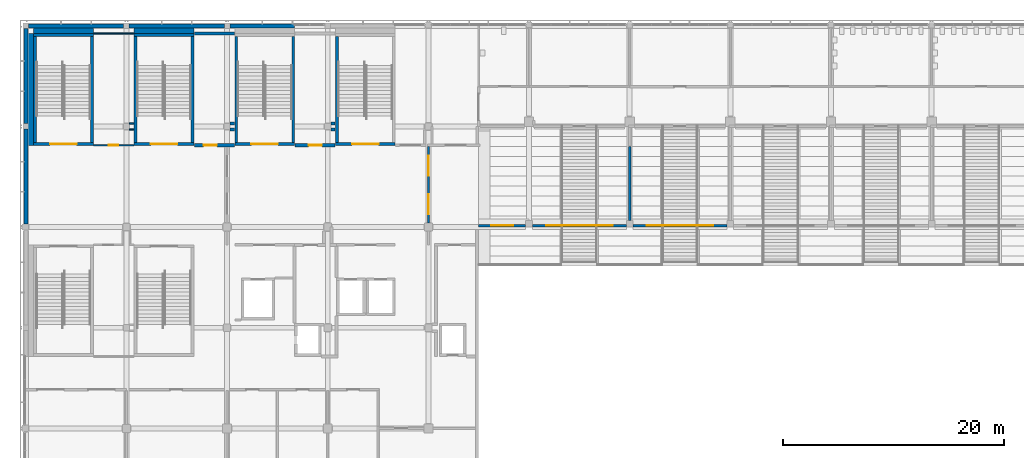
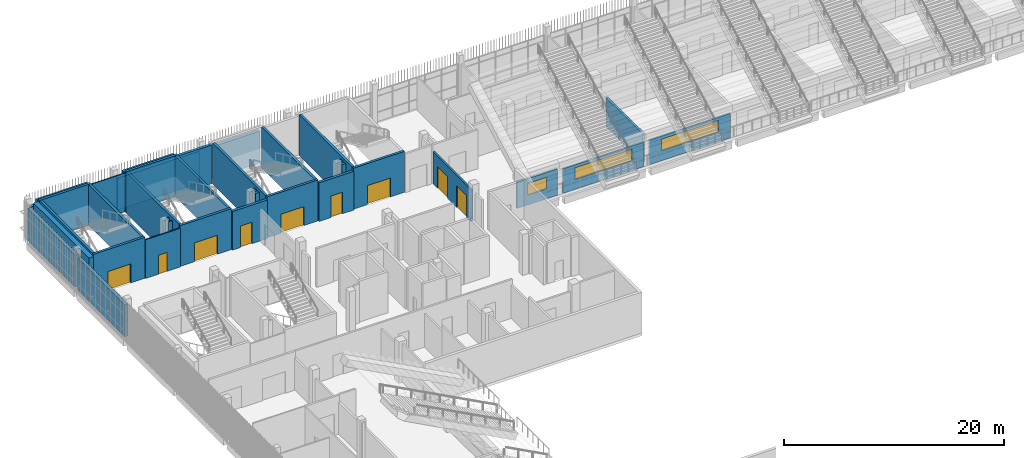
# One storey, part 84 of 139: 37 walls, 9 doors, 3 windows, 12 openings.
"""IFC4 building model written with IfcOpenShell, lengths in metres."""

from ifc_helpers import new_model, si_unit, direction, frame, frame_2d, origin, place, context, subcontext, project, spatial, rectangle, extrude, material, layer, layer_set, type_object, element, fill, save


model = new_model("IFC4")

# Units and contexts
model_context = context("Model", 3, precision=1e-05, world=origin(), true_north=direction((0.0, 1.0)))
body_context = subcontext(model_context, "Body", "Model", "MODEL_VIEW")
ifc_project = project(units=[si_unit("LENGTHUNIT", "METRE"), si_unit("AREAUNIT", "SQUARE_METRE"), si_unit("VOLUMEUNIT", "CUBIC_METRE"), si_unit("PLANEANGLEUNIT", "RADIAN"), si_unit("MASSUNIT", "GRAM", prefix="KILO")], contexts=[model_context])

# Site, building, storey
site_placement = place(None, origin())
site = spatial("IfcSite", under=ifc_project, at=site_placement, CompositionType="ELEMENT")
building_placement = place(site_placement, origin())
building = spatial("IfcBuilding", under=site, at=building_placement, Name="Shirokan Park Arena", CompositionType="ELEMENT")
storey_placement = place(building_placement, frame((0.0, 0.0, 15.469970703125)))
storey = spatial("IfcBuildingStorey", under=building, at=storey_placement, Name="L03", CompositionType="ELEMENT", Elevation=15.469970703125)

# Wall, opening, window
ifc_material_1 = material(Name="Cedar timber lining", Category="wood")
ifc_layer_1 = layer(ifc_material_1, 0.02001953125, Name="Cedar timber lining")
ifc_material_2 = material(Name="Plywood", Category="wood")
ifc_layer_2 = layer(ifc_material_2, 0.01806640625, Name="Plywood")
ifc_material_3 = material(Name="Mineral wool insulation")
ifc_layer_3 = layer(ifc_material_3, 0.14208984375, Name="Mineral wool insulation")
ifc_material_4 = material(Name="Gypsum board")
ifc_layer_4 = layer(ifc_material_4, 0.02001953125, Name="Gypsum board")
ifc_layer_set_1 = layer_set([ifc_layer_1, ifc_layer_2, ifc_layer_3, ifc_layer_4], Name="Cedar timber lining + Plywood + Mineral wool insulation + Gypsum board")
wall_type_1 = type_object("IfcWallType", Name="Bowl front wall 200", PredefinedType="PARTITIONING", material=ifc_layer_set_1)
wall_1_placement = place(storey_placement, frame((54.300048828125, 91.1298828125, 0.0), z_axis=(0.0, 0.0, 1.0), x_axis=(-1.0, 0.0, 0.0)))
wall_1 = element("IfcWall", 1, at=wall_1_placement, inside=storey, type_object=wall_type_1, Name="Bowl front wall 200 L03", PredefinedType="PARTITIONING", context=body_context, shape_type="SweptSolid", body=[
    extrude(rectangle(XDim=8.5, YDim=0.199951171875, at=frame_2d((4.25, 0.0))), origin(), (0.0, 0.0, 1.0), 2.7099609375),
])
opening_1_placement = place(wall_1_placement, frame((1.25, 0.0, 1.10009765625)))
opening_1 = element("IfcOpeningElement", 2, at=opening_1_placement, cuts=wall_1, Name="Opening W8", PredefinedType="OPENING", context=body_context, shape_type="SweptSolid", body=[
    extrude(rectangle(XDim=6.0, YDim=1.300048828125, at=frame_2d((3.0, 0.64990234375))), frame((0.0, 0.10986328125, 0.0), z_axis=(0.0, -1.0, 0.0), x_axis=(1.0, 0.0, 0.0)), (0.0, 0.0, 1.0), 0.219970703125),
])
ifc_material_5 = material(Name="Aluminium frame with laminated glass", Category="aluminium")
window_type_1 = type_object("IfcWindowType", Name="Suite viewing window 6000 x 1300", PartitioningType="SINGLE_PANEL", PredefinedType="WINDOW", material=ifc_material_5)
window_1_placement = place(opening_1_placement, origin())
window_1 = element("IfcWindow", 3, at=window_1_placement, inside=storey, type_object=window_type_1, Name="Suite viewing window 6000 x 1300 L03", OverallHeight=1.300048828125, OverallWidth=6.0, PartitioningType="SINGLE_PANEL", PredefinedType="WINDOW", context=body_context, shape_type="SweptSolid", body=[
    extrude(rectangle(XDim=6.0, YDim=1.300048828125, at=frame_2d((3.0, 0.64990234375))), frame((0.0, 0.030029296875, 0.0), z_axis=(0.0, -1.0, 0.0), x_axis=(1.0, 0.0, 0.0)), (0.0, 0.0, 1.0), 0.06005859375),
])
fill(opening_1, window_1)

wall_2_placement = place(storey_placement, frame((45.199951171875, 91.1298828125, 0.0), z_axis=(0.0, 0.0, 1.0), x_axis=(-1.0, 0.0, 0.0)))
wall_2 = element("IfcWall", 4, at=wall_2_placement, inside=storey, type_object=wall_type_1, Name="Bowl front wall 200 L03", PredefinedType="PARTITIONING", context=body_context, shape_type="SweptSolid", body=[
    extrude(rectangle(XDim=4.25, YDim=0.199951171875, at=frame_2d((2.125, 0.0))), origin(), (0.0, 0.0, 1.0), 2.909912109375),
])
opening_2_placement = place(wall_2_placement, frame((1.125, 0.0, 1.10009765625)))
opening_2 = element("IfcOpeningElement", 5, at=opening_2_placement, cuts=wall_2, Name="Opening W7", PredefinedType="OPENING", context=body_context, shape_type="SweptSolid", body=[
    extrude(rectangle(XDim=2.0, YDim=1.300048828125, at=frame_2d((1.0, 0.64990234375))), frame((0.0, 0.10986328125, 0.0), z_axis=(0.0, -1.0, 0.0), x_axis=(1.0, 0.0, 0.0)), (0.0, 0.0, 1.0), 0.219970703125),
])
window_type_2 = type_object("IfcWindowType", Name="Suite viewing window 2000 x 1300", PartitioningType="SINGLE_PANEL", PredefinedType="WINDOW", material=ifc_material_5)
window_2_placement = place(opening_2_placement, origin())
window_2 = element("IfcWindow", 6, at=window_2_placement, inside=storey, type_object=window_type_2, Name="Suite viewing window 2000 x 1300 L03", OverallHeight=1.300048828125, OverallWidth=2.0, PartitioningType="SINGLE_PANEL", PredefinedType="WINDOW", context=body_context, shape_type="SweptSolid", body=[
    extrude(rectangle(XDim=2.0, YDim=1.300048828125, at=frame_2d((1.0, 0.64990234375))), frame((0.0, 0.030029296875, 0.0), z_axis=(0.0, -1.0, 0.0), x_axis=(1.0, 0.0, 0.0)), (0.0, 0.0, 1.0), 0.06005859375),
])
fill(opening_2, window_2)

wall_3_placement = place(storey_placement, frame((63.39990234375, 91.1298828125, 0.0), z_axis=(0.0, 0.0, 1.0), x_axis=(-1.0, 0.0, 0.0)))
wall_3 = element("IfcWall", 7, at=wall_3_placement, inside=storey, type_object=wall_type_1, Name="Bowl front wall 200 L03", PredefinedType="PARTITIONING", context=body_context, shape_type="SweptSolid", body=[
    extrude(rectangle(XDim=8.5, YDim=0.199951171875, at=frame_2d((4.25, 0.0))), origin(), (0.0, 0.0, 1.0), 2.7099609375),
])
opening_3_placement = place(wall_3_placement, frame((1.25, 0.0, 1.10009765625)))
opening_3 = element("IfcOpeningElement", 8, at=opening_3_placement, cuts=wall_3, Name="Opening W8", PredefinedType="OPENING", context=body_context, shape_type="SweptSolid", body=[
    extrude(rectangle(XDim=6.0, YDim=1.300048828125, at=frame_2d((3.0, 0.64990234375))), frame((0.0, 0.10986328125, 0.0), z_axis=(0.0, -1.0, 0.0), x_axis=(1.0, 0.0, 0.0)), (0.0, 0.0, 1.0), 0.219970703125),
])
window_3_placement = place(opening_3_placement, origin())
window_3 = element("IfcWindow", 9, at=window_3_placement, inside=storey, type_object=window_type_1, Name="Suite viewing window 6000 x 1300 L03", OverallHeight=1.300048828125, OverallWidth=6.0, PartitioningType="SINGLE_PANEL", PredefinedType="WINDOW", context=body_context, shape_type="SweptSolid", body=[
    extrude(rectangle(XDim=6.0, YDim=1.300048828125, at=frame_2d((3.0, 0.64990234375))), frame((0.0, 0.030029296875, 0.0), z_axis=(0.0, -1.0, 0.0), x_axis=(1.0, 0.0, 0.0)), (0.0, 0.0, 1.0), 0.06005859375),
])
fill(opening_3, window_3)

# Wall, openings, doors
ifc_layer_5 = layer(ifc_material_4, 0.02490234375, Name="Gypsum board, two layers")
ifc_layer_6 = layer(ifc_material_3, 0.14990234375, Name="Mineral wool insulation")
ifc_layer_7 = layer(ifc_material_4, 0.02490234375, Name="Gypsum board, two layers")
ifc_layer_set_2 = layer_set([ifc_layer_5, ifc_layer_6, ifc_layer_7], Name="Gypsum board, two layers + Mineral wool insulation")
wall_type_2 = type_object("IfcWallType", Name="Corridor wall 200", PredefinedType="PARTITIONING", material=ifc_layer_set_2)
wall_4_placement = place(storey_placement, frame((36.39990234375, 98.300048828125, 0.0), z_axis=(0.0, 0.0, 1.0), x_axis=(0.0, -1.0, 0.0)))
wall_4 = element("IfcWall", 10, at=wall_4_placement, inside=storey, type_object=wall_type_2, Name="Corridor wall 200 L03", PredefinedType="PARTITIONING", context=body_context, shape_type="SweptSolid", body=[
    extrude(rectangle(XDim=6.949951171875, YDim=0.199951171875, at=frame_2d((3.47509765625, 0.0))), origin(), (0.0, 0.0, 1.0), 3.550048828125),
])
opening_4_placement = place(wall_4_placement, frame((0.85009765625, 0.0, 0.0)))
opening_4 = element("IfcOpeningElement", 11, at=opening_4_placement, cuts=wall_4, Name="Opening D-3130", PredefinedType="OPENING", context=body_context, shape_type="SweptSolid", body=[
    extrude(rectangle(XDim=1.800048828125, YDim=2.39990234375, at=frame_2d((0.89990234375, 1.199951171875))), frame((0.0, 0.10986328125, 0.0), z_axis=(0.0, -1.0, 0.0), x_axis=(1.0, 0.0, 0.0)), (0.0, 0.0, 1.0), 0.219970703125),
])
opening_5_placement = place(wall_4_placement, frame((4.35009765625, 0.0, 0.0)))
opening_5 = element("IfcOpeningElement", 12, at=opening_5_placement, cuts=wall_4, Name="Opening D-3131", PredefinedType="OPENING", context=body_context, shape_type="SweptSolid", body=[
    extrude(rectangle(XDim=1.800048828125, YDim=2.39990234375, at=frame_2d((0.89990234375, 1.199951171875))), frame((0.0, 0.10986328125, 0.0), z_axis=(0.0, -1.0, 0.0), x_axis=(1.0, 0.0, 0.0)), (0.0, 0.0, 1.0), 0.219970703125),
])
ifc_material_6 = material(Name="Glazed steel door set, fire resisting", Category="steel")
door_type_1 = type_object("IfcDoorType", Name="Lift lobby door 1800 x 2400", OperationType="DOUBLE_DOOR_SINGLE_SWING", PredefinedType="DOOR", material=ifc_material_6)
door_1_placement = place(opening_4_placement, origin())
door_1 = element("IfcDoor", 13, at=door_1_placement, inside=storey, type_object=door_type_1, Name="Door between Stair Lobby 4.3.2 and Hospitality Foyer 4.3.3 D-3130", OperationType="DOUBLE_DOOR_SINGLE_SWING", OverallHeight=2.39990234375, OverallWidth=1.800048828125, PredefinedType="DOOR", context=body_context, shape_type="SweptSolid", body=[
    extrude(rectangle(XDim=1.800048828125, YDim=2.39990234375, at=frame_2d((0.89990234375, 1.199951171875))), frame((0.0, 0.02490234375, 0.0), z_axis=(0.0, -1.0, 0.0), x_axis=(1.0, 0.0, 0.0)), (0.0, 0.0, 1.0), 0.050048828125),
])
fill(opening_4, door_1)
door_2_placement = place(opening_5_placement, origin())
door_2 = element("IfcDoor", 14, at=door_2_placement, inside=storey, type_object=door_type_1, Name="Door between Stair Lobby 4.3.2 and Hospitality Foyer 4.3.3 D-3131", OperationType="DOUBLE_DOOR_SINGLE_SWING", OverallHeight=2.39990234375, OverallWidth=1.800048828125, PredefinedType="DOOR", context=body_context, shape_type="SweptSolid", body=[
    extrude(rectangle(XDim=1.800048828125, YDim=2.39990234375, at=frame_2d((0.89990234375, 1.199951171875))), frame((0.0, 0.02490234375, 0.0), z_axis=(0.0, -1.0, 0.0), x_axis=(1.0, 0.0, 0.0)), (0.0, 0.0, 1.0), 0.050048828125),
])
fill(opening_5, door_2)

# Walls
ifc_material_7 = material(Name="Cedar cladding")
ifc_layer_8 = layer(ifc_material_7, 0.030029296875, Name="Cedar cladding")
ifc_layer_9 = layer(ifc_material_3, 0.10009765625, Name="Mineral wool insulation")
ifc_material_8 = material(Name="Concrete C35", Category="concrete")
ifc_layer_10 = layer(ifc_material_8, 0.199951171875, Name="Concrete C35")
ifc_material_9 = material(Name="Gypsum board lining")
ifc_layer_11 = layer(ifc_material_9, 0.02001953125, Name="Gypsum board lining")
ifc_layer_set_3 = layer_set([ifc_layer_8, ifc_layer_9, ifc_layer_10, ifc_layer_11], Name="Cedar cladding + Mineral wool insulation + Concrete C35 + Gypsum board lining")
wall_type_3 = type_object("IfcWallType", Name="Insulated tower wall 350", PredefinedType="SOLIDWALL", material=ifc_layer_set_3)
wall_5_placement = place(storey_placement, frame((24.300048828125, 109.175048828125, 0.0), z_axis=(0.0, 0.0, 1.0), x_axis=(-1.0, 0.0, 0.0)))
element("IfcWall", 15, at=wall_5_placement, inside=storey, type_object=wall_type_3, Name="North facade wall bay 14 L03", PredefinedType="SOLIDWALL", context=body_context, shape_type="SweptSolid", body=[
    extrude(rectangle(XDim=5.85009765625, YDim=0.35009765625, at=frame_2d((2.925048828125, 0.0))), origin(), (0.0, 0.0, 1.0), 3.550048828125),
])
wall_6_placement = place(storey_placement, frame((17.949951171875, 109.175048828125, 0.0), z_axis=(0.0, 0.0, 1.0), x_axis=(-1.0, 0.0, 0.0)))
element("IfcWall", 16, at=wall_6_placement, inside=storey, type_object=wall_type_3, Name="North facade wall bay 15 L03", PredefinedType="SOLIDWALL", context=body_context, shape_type="SweptSolid", body=[
    extrude(rectangle(XDim=8.599853515625, YDim=0.35009765625, at=frame_2d((4.2998046875, 0.0))), origin(), (0.0, 0.0, 1.0), 3.550048828125),
])
wall_7_placement = place(storey_placement, frame((8.85009765625, 109.175048828125, 0.0), z_axis=(0.0, 0.0, 1.0), x_axis=(-1.0, 0.0, 0.0)))
element("IfcWall", 17, at=wall_7_placement, inside=storey, type_object=wall_type_3, Name="North facade wall bay 16 L03", PredefinedType="SOLIDWALL", context=body_context, shape_type="SweptSolid", body=[
    extrude(rectangle(XDim=8.60009765625, YDim=0.35009765625, at=frame_2d((4.300048828125, 0.0))), origin(), (0.0, 0.0, 1.0), 3.550048828125),
])
wall_8_placement = place(storey_placement, frame((0.02490234375, 108.949951171875, 0.0), z_axis=(0.0, 0.0, 1.0), x_axis=(0.0, -1.0, 0.0)))
element("IfcWall", 18, at=wall_8_placement, inside=storey, type_object=wall_type_3, Name="West facade wall bay 1 L03", PredefinedType="SOLIDWALL", context=body_context, shape_type="SweptSolid", body=[
    extrude(rectangle(XDim=8.599853515625, YDim=0.35009765625, at=frame_2d((4.2998046875, 0.0))), origin(), (0.0, 0.0, 1.0), 3.550048828125),
])
wall_9_placement = place(storey_placement, frame((0.02490234375, 99.85009765625, 0.0), z_axis=(0.0, 0.0, 1.0), x_axis=(0.0, -1.0, 0.0)))
element("IfcWall", 19, at=wall_9_placement, inside=storey, type_object=wall_type_3, Name="West facade wall bay 2 L03", PredefinedType="SOLIDWALL", context=body_context, shape_type="SweptSolid", body=[
    extrude(rectangle(XDim=8.5751953125, YDim=0.35009765625, at=frame_2d((4.28759765625, 0.0))), origin(), (0.0, 0.0, 1.0), 3.550048828125),
])

# Wall, opening, door
ifc_material_10 = material(Name="Plaster")
ifc_layer_12 = layer(ifc_material_10, 0.012451171875, Name="Plaster")
ifc_material_11 = material(Name="Concrete blockwork", Category="masonry")
ifc_layer_13 = layer(ifc_material_11, 0.25, Name="Concrete blockwork 250")
ifc_layer_14 = layer(ifc_material_10, 0.012451171875, Name="Plaster")
ifc_layer_set_4 = layer_set([ifc_layer_12, ifc_layer_13, ifc_layer_14], Name="Plaster + Concrete blockwork 250")
wall_type_4 = type_object("IfcWallType", Name="Plant room wall 275", PredefinedType="SOLIDWALL", material=ifc_layer_set_4)
wall_10_placement = place(storey_placement, frame((15.22998046875, 98.39990234375, 0.0), z_axis=(0.0, 0.0, 1.0), x_axis=(1.0, 0.0, 0.0)))
wall_10 = element("IfcWall", 20, at=wall_10_placement, inside=storey, type_object=wall_type_4, Name="Plant room wall 275 L03", PredefinedType="SOLIDWALL", context=body_context, shape_type="SweptSolid", body=[
    extrude(rectangle(XDim=3.64013671875, YDim=0.27490234375, at=frame_2d((1.820068359375, 0.0))), origin(), (0.0, 0.0, 1.0), 4.300048828125),
])
opening_6_placement = place(wall_10_placement, frame((0.85009765625, 0.0, 0.0)))
opening_6 = element("IfcOpeningElement", 21, at=opening_6_placement, cuts=wall_10, Name="Opening D-3034", PredefinedType="OPENING", context=body_context, shape_type="SweptSolid", body=[
    extrude(rectangle(XDim=1.199951171875, YDim=2.39990234375, at=frame_2d((0.60009765625, 1.199951171875))), frame((0.0, 0.1474609375, 0.0), z_axis=(0.0, -1.0, 0.0), x_axis=(1.0, 0.0, 0.0)), (0.0, 0.0, 1.0), 0.294921875),
])
ifc_material_12 = material(Name="Louvred steel door set, fire resisting", Category="steel")
door_type_2 = type_object("IfcDoorType", Name="Plant room door 1200 x 2400", OperationType="SINGLE_SWING_LEFT", PredefinedType="DOOR", material=ifc_material_12)
door_3_placement = place(opening_6_placement, origin())
door_3 = element("IfcDoor", 22, at=door_3_placement, inside=storey, type_object=door_type_2, Name="Door to Communications Room 3.41 D-3034", OperationType="SINGLE_SWING_RIGHT", OverallHeight=2.39990234375, OverallWidth=1.199951171875, PredefinedType="DOOR", context=body_context, shape_type="SweptSolid", body=[
    extrude(rectangle(XDim=1.199951171875, YDim=2.39990234375, at=frame_2d((0.60009765625, 1.199951171875))), frame((0.0, 0.02490234375, 0.0), z_axis=(0.0, -1.0, 0.0), x_axis=(1.0, 0.0, 0.0)), (0.0, 0.0, 1.0), 0.050048828125),
])
fill(opening_6, door_3)

# Walls
wall_11_placement = place(storey_placement, frame((15.22998046875, 108.5, 0.0), z_axis=(0.0, 0.0, 1.0), x_axis=(1.0, 0.0, 0.0)))
element("IfcWall", 23, at=wall_11_placement, inside=storey, type_object=wall_type_4, Name="Plant room wall 275 L03", PredefinedType="SOLIDWALL", context=body_context, shape_type="SweptSolid", body=[
    extrude(rectangle(XDim=3.64013671875, YDim=0.27490234375, at=frame_2d((1.820068359375, 0.0))), origin(), (0.0, 0.0, 1.0), 4.300048828125),
])
for number, where, z_axis, x_axis, name in (
    (24, (18.47509765625, 99.824951171875, 0.0), (0.0, 0.0, 1.0), (1.0, 0.0, 0.0), "Plant room wall 275 L03"),
    (25, (18.8701171875, 100.375, 0.0), (0.0, 0.0, 1.0), (-1.0, 0.0, 0.0), "Plant room wall 275 L03"),
):
    element("IfcWall", number, at=place(storey_placement, frame(where, z_axis=z_axis, x_axis=x_axis)), inside=storey, type_object=wall_type_4, Name=name, PredefinedType="SOLIDWALL", context=body_context, shape_type="SweptSolid", body=[
        extrude(rectangle(XDim=0.39501953125, YDim=0.27490234375, at=frame_2d((0.197509765625, 0.0))), origin(), (0.0, 0.0, 1.0), 4.300048828125),
    ])

# Wall, opening, door
wall_12_placement = place(storey_placement, frame((24.330078125, 98.39990234375, 0.0), z_axis=(0.0, 0.0, 1.0), x_axis=(1.0, 0.0, 0.0)))
wall_12 = element("IfcWall", 26, at=wall_12_placement, inside=storey, type_object=wall_type_4, Name="Plant room wall 275 L03", PredefinedType="SOLIDWALL", context=body_context, shape_type="SweptSolid", body=[
    extrude(rectangle(XDim=3.639892578125, YDim=0.27490234375, at=frame_2d((1.81982421875, 0.0))), origin(), (0.0, 0.0, 1.0), 4.300048828125),
])
opening_7_placement = place(wall_12_placement, frame((1.25, 0.0, 0.0)))
opening_7 = element("IfcOpeningElement", 27, at=opening_7_placement, cuts=wall_12, Name="Opening D-3035", PredefinedType="OPENING", context=body_context, shape_type="SweptSolid", body=[
    extrude(rectangle(XDim=1.199951171875, YDim=2.39990234375, at=frame_2d((0.60009765625, 1.199951171875))), frame((0.0, 0.1474609375, 0.0), z_axis=(0.0, -1.0, 0.0), x_axis=(1.0, 0.0, 0.0)), (0.0, 0.0, 1.0), 0.294921875),
])
door_4_placement = place(opening_7_placement, origin())
door_4 = element("IfcDoor", 28, at=door_4_placement, inside=storey, type_object=door_type_2, Name="Door to Server Room 3.42 D-3035", OperationType="SINGLE_SWING_LEFT", OverallHeight=2.39990234375, OverallWidth=1.199951171875, PredefinedType="DOOR", context=body_context, shape_type="SweptSolid", body=[
    extrude(rectangle(XDim=1.199951171875, YDim=2.39990234375, at=frame_2d((0.60009765625, 1.199951171875))), frame((0.0, 0.02490234375, 0.0), z_axis=(0.0, -1.0, 0.0), x_axis=(1.0, 0.0, 0.0)), (0.0, 0.0, 1.0), 0.050048828125),
])
fill(opening_7, door_4)

# Walls
for number, where, z_axis, x_axis, name in (
    (29, (27.574951171875, 99.824951171875, 0.0), (0.0, 0.0, 1.0), (1.0, 0.0, 0.0), "Plant room wall 275 L03"),
    (30, (27.969970703125, 100.375, 0.0), (0.0, 0.0, 1.0), (-1.0, 0.0, 0.0), "Plant room wall 275 L03"),
):
    element("IfcWall", number, at=place(storey_placement, frame(where, z_axis=z_axis, x_axis=x_axis)), inside=storey, type_object=wall_type_4, Name=name, PredefinedType="SOLIDWALL", context=body_context, shape_type="SweptSolid", body=[
        extrude(rectangle(XDim=0.39501953125, YDim=0.27490234375, at=frame_2d((0.197509765625, 0.0))), origin(), (0.0, 0.0, 1.0), 4.300048828125),
    ])

# Wall, opening, door
ifc_material_13 = material(Name="Concrete C40/50", Category="concrete")
ifc_layer_15 = layer(ifc_material_13, 0.25)
ifc_layer_set_5 = layer_set([ifc_layer_15], Name="Concrete C40/50 250 mm")
wall_type_5 = type_object("IfcWallType", Name="RC shear wall 250", PredefinedType="SHEAR", material=ifc_layer_set_5)
wall_13_placement = place(storey_placement, frame((6.10009765625, 98.52490234375, 0.0), z_axis=(0.0, 0.0, 1.0), x_axis=(-1.0, 0.0, 0.0)))
wall_13 = element("IfcWall", 31, at=wall_13_placement, inside=storey, type_object=wall_type_5, Name="Shaft wall Exit Stair 4.A S L03", PredefinedType="SHEAR", context=body_context, shape_type="SweptSolid", body=[
    extrude(rectangle(XDim=5.400146484375, YDim=0.25, at=frame_2d((2.7001953125, 0.0))), origin(), (0.0, 0.0, 1.0), 4.550048828125),
])
opening_8_placement = place(wall_13_placement, frame((1.5, 0.0, 0.0)))
opening_8 = element("IfcOpeningElement", 32, at=opening_8_placement, cuts=wall_13, Name="Opening D-3155", PredefinedType="OPENING", context=body_context, shape_type="SweptSolid", body=[
    extrude(rectangle(XDim=2.39990234375, YDim=2.10009765625, at=frame_2d((1.199951171875, 1.050048828125))), frame((0.0, 0.135009765625, 0.0), z_axis=(0.0, -1.0, 0.0), x_axis=(1.0, 0.0, 0.0)), (0.0, 0.0, 1.0), 0.27001953125),
])
ifc_material_14 = material(Name="Steel door set, fire resisting", Category="steel")
door_type_3 = type_object("IfcDoorType", Name="Stair door 2400 x 2100", OperationType="DOUBLE_DOOR_SINGLE_SWING", PredefinedType="DOOR", material=ifc_material_14)
door_5_placement = place(opening_8_placement, origin())
door_5 = element("IfcDoor", 33, at=door_5_placement, inside=storey, type_object=door_type_3, Name="Stair door Exit Stair 4.A D-3155", OperationType="DOUBLE_DOOR_SINGLE_SWING", OverallHeight=2.10009765625, OverallWidth=2.39990234375, PredefinedType="DOOR", context=body_context, shape_type="SweptSolid", body=[
    extrude(rectangle(XDim=2.39990234375, YDim=2.10009765625, at=frame_2d((1.199951171875, 1.050048828125))), frame((0.0, 0.02490234375, 0.0), z_axis=(0.0, -1.0, 0.0), x_axis=(1.0, 0.0, 0.0)), (0.0, 0.0, 1.0), 0.050048828125),
])
fill(opening_8, door_5)

# Walls
wall_14_placement = place(storey_placement, frame((6.10009765625, 108.375, 0.0), z_axis=(0.0, 0.0, 1.0), x_axis=(-1.0, 0.0, 0.0)))
element("IfcWall", 34, at=wall_14_placement, inside=storey, type_object=wall_type_5, Name="Shaft wall Exit Stair 4.A N L03", PredefinedType="SHEAR", context=body_context, shape_type="SweptSolid", body=[
    extrude(rectangle(XDim=5.400146484375, YDim=0.25, at=frame_2d((2.7001953125, 0.0))), origin(), (0.0, 0.0, 1.0), 4.550048828125),
])
for number, where, z_axis, x_axis, name in (
    (35, (0.824951171875, 108.25, 0.0), (0.0, 0.0, 1.0), (0.0, -1.0, 0.0), "Shaft wall Exit Stair 4.A W L03"),
    (36, (5.97509765625, 108.25, 0.0), (0.0, 0.0, 1.0), (0.0, -1.0, 0.0), "Shaft wall Exit Stair 4.A E L03"),
):
    element("IfcWall", number, at=place(storey_placement, frame(where, z_axis=z_axis, x_axis=x_axis)), inside=storey, type_object=wall_type_5, Name=name, PredefinedType="SHEAR", context=body_context, shape_type="SweptSolid", body=[
        extrude(rectangle(XDim=9.60009765625, YDim=0.25, at=frame_2d((4.800048828125, 0.0))), origin(), (0.0, 0.0, 1.0), 4.550048828125),
    ])

# Wall, opening, door
wall_15_placement = place(storey_placement, frame((15.199951171875, 98.52490234375, 0.0), z_axis=(0.0, 0.0, 1.0), x_axis=(-1.0, 0.0, 0.0)))
wall_15 = element("IfcWall", 37, at=wall_15_placement, inside=storey, type_object=wall_type_5, Name="Shaft wall Exit Stair 4.B S L03", PredefinedType="SHEAR", context=body_context, shape_type="SweptSolid", body=[
    extrude(rectangle(XDim=5.39990234375, YDim=0.25, at=frame_2d((2.699951171875, 0.0))), origin(), (0.0, 0.0, 1.0), 4.550048828125),
])
opening_9_placement = place(wall_15_placement, frame((1.5, 0.0, 0.0)))
opening_9 = element("IfcOpeningElement", 38, at=opening_9_placement, cuts=wall_15, Name="Opening D-3156", PredefinedType="OPENING", context=body_context, shape_type="SweptSolid", body=[
    extrude(rectangle(XDim=2.39990234375, YDim=2.10009765625, at=frame_2d((1.199951171875, 1.050048828125))), frame((0.0, 0.135009765625, 0.0), z_axis=(0.0, -1.0, 0.0), x_axis=(1.0, 0.0, 0.0)), (0.0, 0.0, 1.0), 0.27001953125),
])
door_6_placement = place(opening_9_placement, origin())
door_6 = element("IfcDoor", 39, at=door_6_placement, inside=storey, type_object=door_type_3, Name="Stair door Exit Stair 4.B D-3156", OperationType="DOUBLE_DOOR_SINGLE_SWING", OverallHeight=2.10009765625, OverallWidth=2.39990234375, PredefinedType="DOOR", context=body_context, shape_type="SweptSolid", body=[
    extrude(rectangle(XDim=2.39990234375, YDim=2.10009765625, at=frame_2d((1.199951171875, 1.050048828125))), frame((0.0, 0.02490234375, 0.0), z_axis=(0.0, -1.0, 0.0), x_axis=(1.0, 0.0, 0.0)), (0.0, 0.0, 1.0), 0.050048828125),
])
fill(opening_9, door_6)

# Walls
wall_16_placement = place(storey_placement, frame((15.199951171875, 108.375, 0.0), z_axis=(0.0, 0.0, 1.0), x_axis=(-1.0, 0.0, 0.0)))
element("IfcWall", 40, at=wall_16_placement, inside=storey, type_object=wall_type_5, Name="Shaft wall Exit Stair 4.B N L03", PredefinedType="SHEAR", context=body_context, shape_type="SweptSolid", body=[
    extrude(rectangle(XDim=5.39990234375, YDim=0.25, at=frame_2d((2.699951171875, 0.0))), origin(), (0.0, 0.0, 1.0), 4.550048828125),
])
for number, where, z_axis, x_axis, name in (
    (41, (9.925048828125, 108.25, 0.0), (0.0, 0.0, 1.0), (0.0, -1.0, 0.0), "Shaft wall Exit Stair 4.B W L03"),
    (42, (15.074951171875, 108.25, 0.0), (0.0, 0.0, 1.0), (0.0, -1.0, 0.0), "Shaft wall Exit Stair 4.B E L03"),
):
    element("IfcWall", number, at=place(storey_placement, frame(where, z_axis=z_axis, x_axis=x_axis)), inside=storey, type_object=wall_type_5, Name=name, PredefinedType="SHEAR", context=body_context, shape_type="SweptSolid", body=[
        extrude(rectangle(XDim=9.60009765625, YDim=0.25, at=frame_2d((4.800048828125, 0.0))), origin(), (0.0, 0.0, 1.0), 4.550048828125),
    ])

# Wall, opening, door
wall_17_placement = place(storey_placement, frame((24.300048828125, 98.52490234375, 0.0), z_axis=(0.0, 0.0, 1.0), x_axis=(-1.0, 0.0, 0.0)))
wall_17 = element("IfcWall", 43, at=wall_17_placement, inside=storey, type_object=wall_type_5, Name="Shaft wall Exit Stair 4.C S L03", PredefinedType="SHEAR", context=body_context, shape_type="SweptSolid", body=[
    extrude(rectangle(XDim=5.400146484375, YDim=0.25, at=frame_2d((2.7001953125, 0.0))), origin(), (0.0, 0.0, 1.0), 4.550048828125),
])
opening_10_placement = place(wall_17_placement, frame((1.5, 0.0, 0.0)))
opening_10 = element("IfcOpeningElement", 44, at=opening_10_placement, cuts=wall_17, Name="Opening D-3157", PredefinedType="OPENING", context=body_context, shape_type="SweptSolid", body=[
    extrude(rectangle(XDim=2.39990234375, YDim=2.10009765625, at=frame_2d((1.199951171875, 1.050048828125))), frame((0.0, 0.135009765625, 0.0), z_axis=(0.0, -1.0, 0.0), x_axis=(1.0, 0.0, 0.0)), (0.0, 0.0, 1.0), 0.27001953125),
])
door_7_placement = place(opening_10_placement, origin())
door_7 = element("IfcDoor", 45, at=door_7_placement, inside=storey, type_object=door_type_3, Name="Stair door Exit Stair 4.C D-3157", OperationType="DOUBLE_DOOR_SINGLE_SWING", OverallHeight=2.10009765625, OverallWidth=2.39990234375, PredefinedType="DOOR", context=body_context, shape_type="SweptSolid", body=[
    extrude(rectangle(XDim=2.39990234375, YDim=2.10009765625, at=frame_2d((1.199951171875, 1.050048828125))), frame((0.0, 0.02490234375, 0.0), z_axis=(0.0, -1.0, 0.0), x_axis=(1.0, 0.0, 0.0)), (0.0, 0.0, 1.0), 0.050048828125),
])
fill(opening_10, door_7)

# Walls
for number, where, z_axis, x_axis, name in (
    (46, (19.02490234375, 108.25, 0.0), (0.0, 0.0, 1.0), (0.0, -1.0, 0.0), "Shaft wall Exit Stair 4.C W L03"),
    (47, (24.175048828125, 108.25, 0.0), (0.0, 0.0, 1.0), (0.0, -1.0, 0.0), "Shaft wall Exit Stair 4.C E L03"),
):
    element("IfcWall", number, at=place(storey_placement, frame(where, z_axis=z_axis, x_axis=x_axis)), inside=storey, type_object=wall_type_5, Name=name, PredefinedType="SHEAR", context=body_context, shape_type="SweptSolid", body=[
        extrude(rectangle(XDim=9.60009765625, YDim=0.25, at=frame_2d((4.800048828125, 0.0))), origin(), (0.0, 0.0, 1.0), 4.550048828125),
    ])

# Wall, opening, door
wall_18_placement = place(storey_placement, frame((33.39990234375, 98.52490234375, 0.0), z_axis=(0.0, 0.0, 1.0), x_axis=(-1.0, 0.0, 0.0)))
wall_18 = element("IfcWall", 48, at=wall_18_placement, inside=storey, type_object=wall_type_5, Name="Shaft wall Exit Stair 4.D S L03", PredefinedType="SHEAR", context=body_context, shape_type="SweptSolid", body=[
    extrude(rectangle(XDim=5.39990234375, YDim=0.25, at=frame_2d((2.699951171875, 0.0))), origin(), (0.0, 0.0, 1.0), 4.550048828125),
])
opening_11_placement = place(wall_18_placement, frame((1.5, 0.0, 0.0)))
opening_11 = element("IfcOpeningElement", 49, at=opening_11_placement, cuts=wall_18, Name="Opening D-3158", PredefinedType="OPENING", context=body_context, shape_type="SweptSolid", body=[
    extrude(rectangle(XDim=2.39990234375, YDim=2.10009765625, at=frame_2d((1.199951171875, 1.050048828125))), frame((0.0, 0.135009765625, 0.0), z_axis=(0.0, -1.0, 0.0), x_axis=(1.0, 0.0, 0.0)), (0.0, 0.0, 1.0), 0.27001953125),
])
door_8_placement = place(opening_11_placement, origin())
door_8 = element("IfcDoor", 50, at=door_8_placement, inside=storey, type_object=door_type_3, Name="Stair door Exit Stair 4.D D-3158", OperationType="DOUBLE_DOOR_SINGLE_SWING", OverallHeight=2.10009765625, OverallWidth=2.39990234375, PredefinedType="DOOR", context=body_context, shape_type="SweptSolid", body=[
    extrude(rectangle(XDim=2.39990234375, YDim=2.10009765625, at=frame_2d((1.199951171875, 1.050048828125))), frame((0.0, 0.02490234375, 0.0), z_axis=(0.0, -1.0, 0.0), x_axis=(1.0, 0.0, 0.0)), (0.0, 0.0, 1.0), 0.050048828125),
])
fill(opening_11, door_8)

# Walls
wall_19_placement = place(storey_placement, frame((28.125, 108.25, 0.0), z_axis=(0.0, 0.0, 1.0), x_axis=(0.0, -1.0, 0.0)))
element("IfcWall", 51, at=wall_19_placement, inside=storey, type_object=wall_type_5, Name="Shaft wall Exit Stair 4.D W L03", PredefinedType="SHEAR", context=body_context, shape_type="SweptSolid", body=[
    extrude(rectangle(XDim=9.60009765625, YDim=0.25, at=frame_2d((4.800048828125, 0.0))), origin(), (0.0, 0.0, 1.0), 4.550048828125),
])
ifc_layer_16 = layer(ifc_material_8, 0.5)
ifc_layer_set_6 = layer_set([ifc_layer_16], Name="Concrete C35 500 mm")
wall_type_6 = type_object("IfcWallType", Name="Shaft infill wall 500", PredefinedType="SOLIDWALL", material=ifc_layer_set_6)
wall_20_placement = place(storey_placement, frame((0.699951171875, 108.75, 0.0), z_axis=(0.0, 0.0, 1.0), x_axis=(1.0, 0.0, 0.0)))
element("IfcWall", 52, at=wall_20_placement, inside=storey, type_object=wall_type_6, Name="Shaft infill wall L03", PredefinedType="SOLIDWALL", context=body_context, shape_type="SweptSolid", body=[
    extrude(rectangle(XDim=5.400146484375, YDim=0.5, at=frame_2d((2.7001953125, 0.0))), origin(), (0.0, 0.0, 1.0), 4.300048828125),
])
wall_21_placement = place(storey_placement, frame((0.449951171875, 98.39990234375, 0.0), z_axis=(0.0, 0.0, 1.0), x_axis=(0.0, 1.0, 0.0)))
element("IfcWall", 53, at=wall_21_placement, inside=storey, type_object=wall_type_6, Name="Shaft infill wall L03", PredefinedType="SOLIDWALL", context=body_context, shape_type="SweptSolid", body=[
    extrude(rectangle(XDim=10.10009765625, YDim=0.5, at=frame_2d((5.050048828125, 0.0))), origin(), (0.0, 0.0, 1.0), 4.300048828125),
])
wall_22_placement = place(storey_placement, frame((9.800048828125, 108.75, 0.0), z_axis=(0.0, 0.0, 1.0), x_axis=(1.0, 0.0, 0.0)))
element("IfcWall", 54, at=wall_22_placement, inside=storey, type_object=wall_type_6, Name="Shaft infill wall L03", PredefinedType="SOLIDWALL", context=body_context, shape_type="SweptSolid", body=[
    extrude(rectangle(XDim=5.39990234375, YDim=0.5, at=frame_2d((2.699951171875, 0.0))), origin(), (0.0, 0.0, 1.0), 4.300048828125),
])
ifc_layer_17 = layer(ifc_material_4, 0.02490234375, Name="Gypsum board, two layers")
ifc_layer_18 = layer(ifc_material_3, 0.074951171875, Name="Mineral wool insulation")
ifc_material_15 = material(Name="Air cavity")
ifc_layer_19 = layer(ifc_material_15, 0.02490234375, Name="Air cavity")
ifc_layer_20 = layer(ifc_material_3, 0.074951171875, Name="Mineral wool insulation")
ifc_layer_21 = layer(ifc_material_4, 0.02490234375, Name="Gypsum board, two layers")
ifc_layer_set_7 = layer_set([ifc_layer_17, ifc_layer_18, ifc_layer_19, ifc_layer_20, ifc_layer_21], Name="Gypsum board, two layers + Mineral wool insulation + Air cavity")
wall_type_7 = type_object("IfcWallType", Name="Suite party wall 225", PredefinedType="PARTITIONING", material=ifc_layer_set_7)
wall_23_placement = place(storey_placement, frame((54.60009765625, 98.27001953125, 0.0), z_axis=(0.0, 0.0, 1.0), x_axis=(0.0, -1.0, 0.0)))
element("IfcWall", 55, at=wall_23_placement, inside=storey, type_object=wall_type_7, Name="Suite party wall 225 L03", PredefinedType="PARTITIONING", context=body_context, shape_type="SweptSolid", body=[
    extrude(rectangle(XDim=6.669921875, YDim=0.22509765625, at=frame_2d((3.3349609375, 0.0))), origin(), (0.0, 0.0, 1.0), 3.219970703125),
])

# Wall, opening, door
ifc_material_16 = material(Name="Ceramic tile")
ifc_layer_22 = layer(ifc_material_16, 0.010009765625, Name="Ceramic tile")
ifc_material_17 = material(Name="Cement board")
ifc_layer_23 = layer(ifc_material_17, 0.012451171875, Name="Cement board")
ifc_layer_24 = layer(ifc_material_3, 0.080078125, Name="Mineral wool insulation")
ifc_layer_25 = layer(ifc_material_17, 0.012451171875, Name="Cement board")
ifc_layer_26 = layer(ifc_material_16, 0.010009765625, Name="Ceramic tile")
ifc_layer_set_8 = layer_set([ifc_layer_22, ifc_layer_23, ifc_layer_24, ifc_layer_25, ifc_layer_26], Name="Ceramic tile + Cement board + Mineral wool insulation")
wall_type_8 = type_object("IfcWallType", Name="Wet-area wall 125", PredefinedType="PARTITIONING", material=ifc_layer_set_8)
wall_24_placement = place(storey_placement, frame((6.1298828125, 98.39990234375, 0.0), z_axis=(0.0, 0.0, 1.0), x_axis=(1.0, 0.0, 0.0)))
wall_24 = element("IfcWall", 56, at=wall_24_placement, inside=storey, type_object=wall_type_8, Name="Wet-area wall 125 L03", PredefinedType="PARTITIONING", context=body_context, shape_type="SweptSolid", body=[
    extrude(rectangle(XDim=3.64013671875, YDim=0.125, at=frame_2d((1.820068359375, 0.0))), origin(), (0.0, 0.0, 1.0), 4.300048828125),
])
opening_12_placement = place(wall_24_placement, frame((1.35009765625, 0.0, 0.0)))
opening_12 = element("IfcOpeningElement", 57, at=opening_12_placement, cuts=wall_24, Name="Opening D-3033", PredefinedType="OPENING", context=body_context, shape_type="SweptSolid", body=[
    extrude(rectangle(XDim=0.89990234375, YDim=2.10009765625, at=frame_2d((0.449951171875, 1.050048828125))), frame((0.0, 0.072509765625, 0.0), z_axis=(0.0, -1.0, 0.0), x_axis=(1.0, 0.0, 0.0)), (0.0, 0.0, 1.0), 0.14501953125),
])
ifc_material_18 = material(Name="Timber door set, fire resisting", Category="wood")
door_type_4 = type_object("IfcDoorType", Name="Door 900 x 2100", OperationType="SINGLE_SWING_LEFT", PredefinedType="DOOR", material=ifc_material_18)
door_9_placement = place(opening_12_placement, origin())
door_9 = element("IfcDoor", 58, at=door_9_placement, inside=storey, type_object=door_type_4, Name="Door to Staff WC 3.40 D-3033", OperationType="SINGLE_SWING_RIGHT", OverallHeight=2.10009765625, OverallWidth=0.89990234375, PredefinedType="DOOR", context=body_context, shape_type="SweptSolid", body=[
    extrude(rectangle(XDim=0.89990234375, YDim=2.10009765625, at=frame_2d((0.449951171875, 1.050048828125))), frame((0.0, 0.02490234375, 0.0), z_axis=(0.0, -1.0, 0.0), x_axis=(1.0, 0.0, 0.0)), (0.0, 0.0, 1.0), 0.050048828125),
])
fill(opening_12, door_9)

# Walls
wall_25_placement = place(storey_placement, frame((6.1298828125, 108.5, 0.0), z_axis=(0.0, 0.0, 1.0), x_axis=(1.0, 0.0, 0.0)))
element("IfcWall", 59, at=wall_25_placement, inside=storey, type_object=wall_type_8, Name="Wet-area wall 125 L03", PredefinedType="PARTITIONING", context=body_context, shape_type="SweptSolid", body=[
    extrude(rectangle(XDim=3.64013671875, YDim=0.125, at=frame_2d((1.820068359375, 0.0))), origin(), (0.0, 0.0, 1.0), 4.300048828125),
])
for number, where, z_axis, x_axis, name in (
    (60, (9.375, 99.824951171875, 0.0), (0.0, 0.0, 1.0), (1.0, 0.0, 0.0), "Wet-area wall 125 L03"),
    (61, (9.77001953125, 100.375, 0.0), (0.0, 0.0, 1.0), (-1.0, 0.0, 0.0), "Wet-area wall 125 L03"),
):
    element("IfcWall", number, at=place(storey_placement, frame(where, z_axis=z_axis, x_axis=x_axis)), inside=storey, type_object=wall_type_8, Name=name, PredefinedType="PARTITIONING", context=body_context, shape_type="SweptSolid", body=[
        extrude(rectangle(XDim=0.39501953125, YDim=0.125, at=frame_2d((0.197509765625, 0.0))), origin(), (0.0, 0.0, 1.0), 4.300048828125),
    ])

save(model, "model.ifc")
